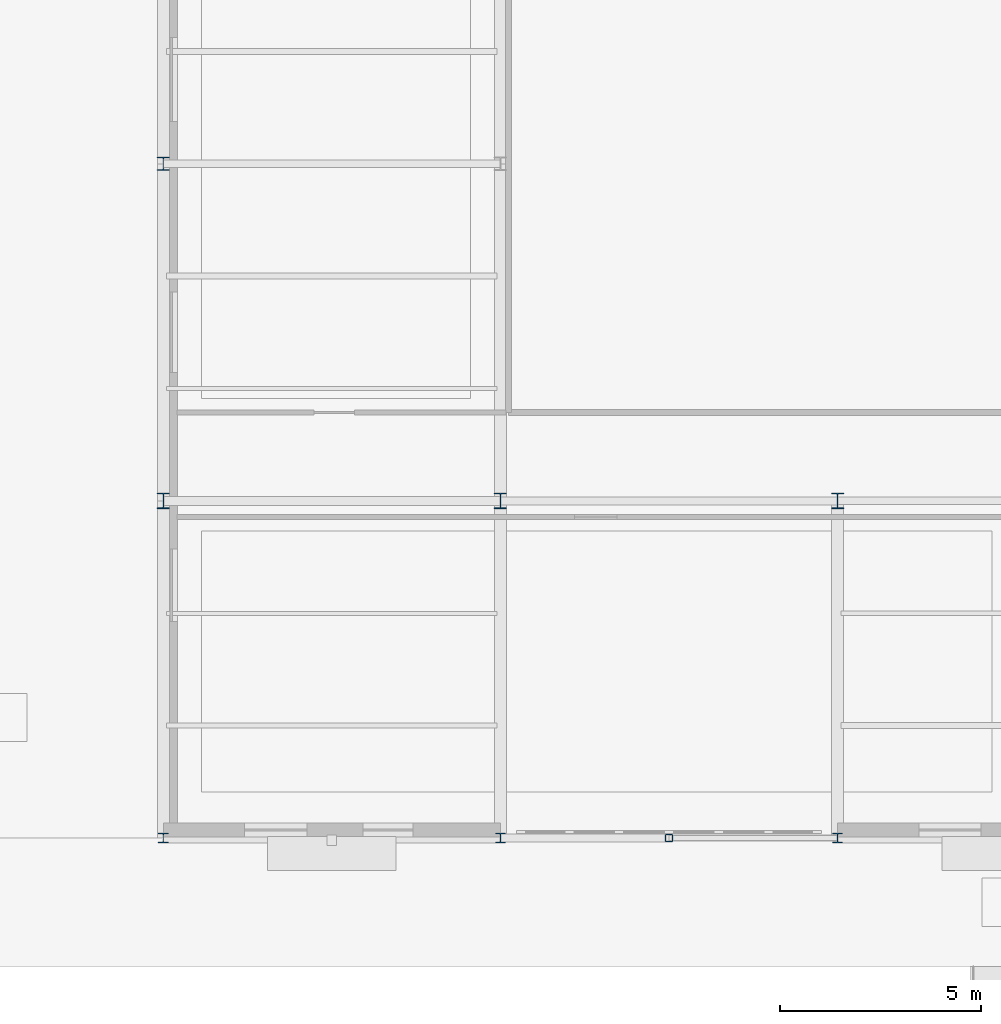
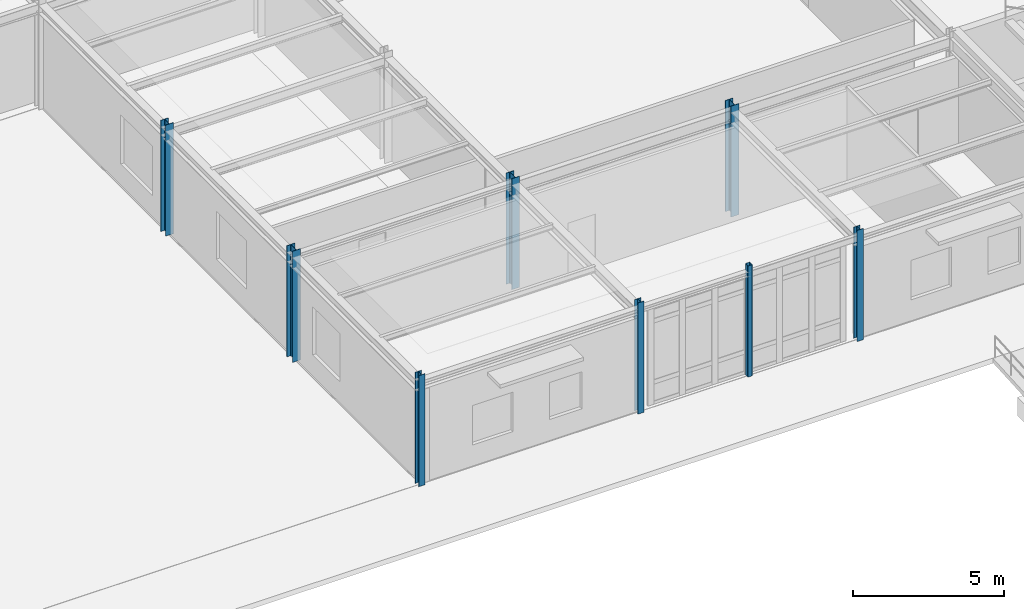
# One storey, part 7 of 101: 8 columns.
"""IFC4 building model written with IfcOpenShell, lengths in metres."""

from ifc_helpers import new_model, si_unit, derived_unit, direction, frame, origin, origin_2d, place, context, subcontext, project, spatial, hollow_rectangle, i_section, extrude, material, material_profile, profile_set, type_object, element, save


model = new_model("IFC4")

# Units and contexts
model_context = context("Model", 3, precision=1e-05, world=origin(), true_north=direction((0.0, 1.0)))
body_context = subcontext(model_context, "Body", "Model", "MODEL_VIEW")
ifc_project = project(units=[si_unit("LENGTHUNIT", "METRE"), si_unit("AREAUNIT", "SQUARE_METRE"), si_unit("VOLUMEUNIT", "CUBIC_METRE"), si_unit("PLANEANGLEUNIT", "RADIAN"), si_unit("MASSUNIT", "GRAM", prefix="KILO"), derived_unit("THERMALTRANSMITTANCEUNIT", [(si_unit("POWERUNIT", "WATT"), 1), (si_unit("AREAUNIT", "SQUARE_METRE"), -1), (si_unit("THERMODYNAMICTEMPERATUREUNIT", "KELVIN"), -1)])], contexts=[model_context])

# Site, building, storey
site_placement = place(None, origin())
site = spatial("IfcSite", under=ifc_project, at=site_placement, CompositionType="ELEMENT")
building_placement = place(site_placement, origin())
building = spatial("IfcBuilding", under=site, at=building_placement, Name="Yasenodar Specialist Clinic", CompositionType="ELEMENT")
storey_placement = place(building_placement, origin())
storey = spatial("IfcBuildingStorey", under=building, at=storey_placement, Name="L00", CompositionType="ELEMENT", Elevation=0.0)

# Columns
ifc_material = material(Name="Steel S355", Category="steel")
ifc_material_profile_1 = material_profile(ifc_material, i_section(OverallWidth=0.300048828125, OverallDepth=0.330078125, WebThickness=0.009521484375, FlangeThickness=0.0166015625, FilletRadius=0.027099609375, at=origin_2d()), Name="HEA 340")
ifc_profile_set_1 = profile_set([ifc_material_profile_1], Name="Steel S355")
column_type_1 = type_object("IfcColumnType", Name="COL-ST-HEA340", PredefinedType="COLUMN", material=ifc_profile_set_1)
column_1_placement = place(storey_placement, frame((105.0, 16.800048828125, 0.0), z_axis=(0.0, 0.0, 1.0), x_axis=(1.0, 0.0, 0.0)))
element("IfcColumn", 1, at=column_1_placement, inside=storey, type_object=column_type_1, Name="L00 Column V3-119", PredefinedType="COLUMN", context=body_context, shape_type="SweptSolid", body=[
    extrude(i_section(OverallWidth=0.300048828125, OverallDepth=0.330078125, WebThickness=0.009521484375, FlangeThickness=0.0166015625, FilletRadius=0.027099609375, at=origin_2d()), origin(), (0.0, 0.0, 1.0), 4.5),
])
ifc_material_profile_2 = material_profile(ifc_material, i_section(OverallWidth=0.300048828125, OverallDepth=0.389892578125, WebThickness=0.010986328125, FlangeThickness=0.01904296875, FilletRadius=0.027099609375, at=origin_2d()), Name="HEA 400")
ifc_profile_set_2 = profile_set([ifc_material_profile_2], Name="Steel S355")
column_type_2 = type_object("IfcColumnType", Name="COL-ST-HEA400", PredefinedType="COLUMN", material=ifc_profile_set_2)
for number, where, z_axis, x_axis, name in (
    (2, (105.0, 8.39990234375, 0.0), (0.0, 0.0, 1.0), (1.0, 0.0, 0.0), "L00 Column V3-118"),
    (3, (113.39990234375, 8.39990234375, 0.0), (0.0, 0.0, 1.0), (1.0, 0.0, 0.0), "L00 Column V3-128"),
    (4, (121.800048828125, 8.39990234375, 0.0), (0.0, 0.0, 1.0), (1.0, 0.0, 0.0), "L00 Column V3-138"),
):
    element("IfcColumn", number, at=place(storey_placement, frame(where, z_axis=z_axis, x_axis=x_axis)), inside=storey, type_object=column_type_2, Name=name, PredefinedType="COLUMN", context=body_context, shape_type="SweptSolid", body=[
        extrude(i_section(OverallWidth=0.300048828125, OverallDepth=0.389892578125, WebThickness=0.010986328125, FlangeThickness=0.01904296875, FilletRadius=0.027099609375, at=origin_2d()), origin(), (0.0, 0.0, 1.0), 4.5),
    ])
ifc_material_profile_3 = material_profile(ifc_material, i_section(OverallWidth=0.239990234375, OverallDepth=0.239990234375, WebThickness=0.010009765625, FlangeThickness=0.01708984375, FilletRadius=0.02099609375, at=origin_2d()), Name="HEB 240")
ifc_profile_set_3 = profile_set([ifc_material_profile_3], Name="Steel S355")
column_type_3 = type_object("IfcColumnType", Name="COL-ST-HEB240", PredefinedType="COLUMN", material=ifc_profile_set_3)
for number, where, z_axis, x_axis, name in (
    (5, (105.0, 0.0, 0.0), (0.0, 0.0, 1.0), (1.0, 0.0, 0.0), "L00 Column V3-117"),
    (6, (113.39990234375, 0.0, 0.0), (0.0, 0.0, 1.0), (1.0, 0.0, 0.0), "L00 Column V3-127"),
    (7, (121.800048828125, 0.0, 0.0), (0.0, 0.0, 1.0), (1.0, 0.0, 0.0), "L00 Column V3-137"),
):
    element("IfcColumn", number, at=place(storey_placement, frame(where, z_axis=z_axis, x_axis=x_axis)), inside=storey, type_object=column_type_3, Name=name, PredefinedType="COLUMN", context=body_context, shape_type="SweptSolid", body=[
        extrude(i_section(OverallWidth=0.239990234375, OverallDepth=0.239990234375, WebThickness=0.010009765625, FlangeThickness=0.01708984375, FilletRadius=0.02099609375, at=origin_2d()), origin(), (0.0, 0.0, 1.0), 4.5),
    ])
ifc_material_profile_4 = material_profile(ifc_material, hollow_rectangle(XDim=0.179931640625, YDim=0.179931640625, WallThickness=0.010009765625, InnerFilletRadius=0.014892578125, OuterFilletRadius=0.02490234375, at=origin_2d()), Name="SHS 180x180x10")
ifc_profile_set_4 = profile_set([ifc_material_profile_4], Name="Steel S355")
column_type_4 = type_object("IfcColumnType", Name="PIL-ST-SHS180", PredefinedType="PILASTER", material=ifc_profile_set_4)
column_2_placement = place(storey_placement, frame((117.60009765625, 0.0, 0.0), z_axis=(0.0, 0.0, 1.0), x_axis=(1.0, 0.0, 0.0)))
element("IfcColumn", 8, at=column_2_placement, inside=storey, type_object=column_type_4, Name="L00 Arcade Pilaster 05", PredefinedType="PILASTER", context=body_context, shape_type="SweptSolid", body=[
    extrude(hollow_rectangle(XDim=0.179931640625, YDim=0.179931640625, WallThickness=0.010009765625, InnerFilletRadius=0.014892578125, OuterFilletRadius=0.02490234375, at=origin_2d()), origin(), (0.0, 0.0, 1.0), 4.5),
])

save(model, "model.ifc")
